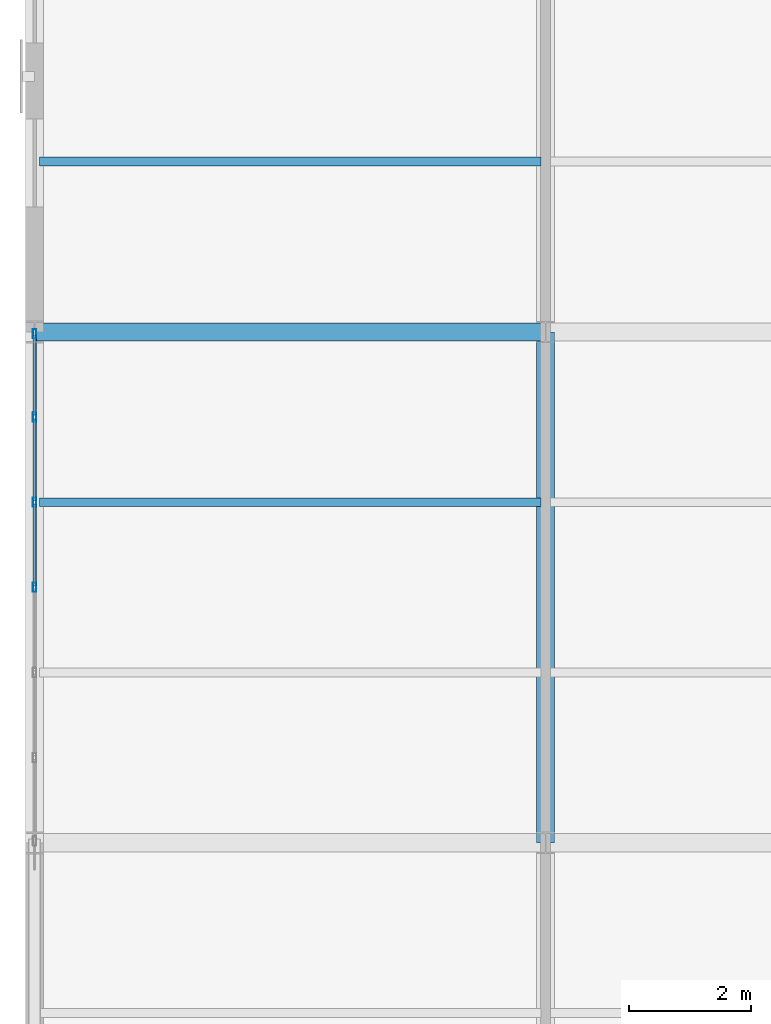
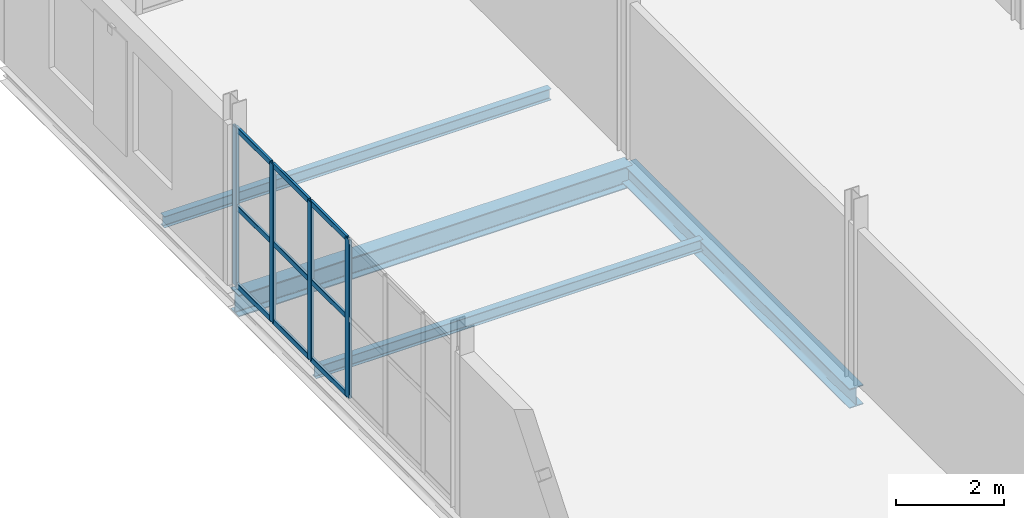
# One storey, part 79 of 163: 13 members, 4 beams, 1 element without a shape of its own.
"""IFC4 building model written with IfcOpenShell, lengths in metres."""

from ifc_helpers import new_model, si_unit, direction, frame, origin, origin_2d, place, context, subcontext, project, spatial, hollow_rectangle, i_section, extrude, material, layer, layer_set, material_profile, profile_set, type_object, element, aggregate, save


model = new_model("IFC4")

# Units and contexts
model_context = context("Model", 3, precision=1e-05, world=origin(), true_north=direction((0.0, 1.0)))
body_context = subcontext(model_context, "Body", "Model", "MODEL_VIEW")
ifc_project = project(units=[si_unit("LENGTHUNIT", "METRE"), si_unit("AREAUNIT", "SQUARE_METRE"), si_unit("VOLUMEUNIT", "CUBIC_METRE"), si_unit("PLANEANGLEUNIT", "RADIAN"), si_unit("MASSUNIT", "GRAM", prefix="KILO")], contexts=[model_context])

# Site, building, storey
site_placement = place(None, origin())
site = spatial("IfcSite", under=ifc_project, at=site_placement, CompositionType="ELEMENT")
building_placement = place(site_placement, origin())
building = spatial("IfcBuilding", under=site, at=building_placement, Name="Qalvenar Corner Mobility Hub", CompositionType="ELEMENT")
storey_placement = place(building_placement, frame((0.0, 0.0, 4.800048828125)))
storey = spatial("IfcBuildingStorey", under=building, at=storey_placement, Name="L01", CompositionType="ELEMENT", Elevation=4.800048828125)

# Beams
ifc_material_1 = material(Name="Steel S355", Category="steel")
ifc_material_profile_1 = material_profile(ifc_material_1, i_section(OverallWidth=0.300048828125, OverallDepth=0.43994140625, WebThickness=0.011474609375, FlangeThickness=0.02099609375, FilletRadius=0.027099609375, at=origin_2d()), Name="HEA450")
ifc_profile_set_1 = profile_set([ifc_material_profile_1], Name="Steel S355")
beam_type_1 = type_object("IfcBeamType", Name="BM-HEA450", PredefinedType="BEAM", material=ifc_profile_set_1)
beam_1_placement = place(storey_placement, frame((8.39990234375, 75.60009765625, -0.400146484375), z_axis=(0.0, 1.0, 0.0), x_axis=(-1.0, 0.0, 0.0)))
element("IfcBeam", 1, at=beam_1_placement, inside=storey, type_object=beam_type_1, Name="Primary Steel Girder GY-1190", PredefinedType="BEAM", context=body_context, shape_type="SweptSolid", body=[
    extrude(i_section(OverallWidth=0.300048828125, OverallDepth=0.43994140625, WebThickness=0.011474609375, FlangeThickness=0.02099609375, FilletRadius=0.027099609375, at=origin_2d()), origin(), (0.0, 0.0, 1.0), 8.39990234375),
])
ifc_material_profile_2 = material_profile(ifc_material_1, i_section(OverallWidth=0.300048828125, OverallDepth=0.489990234375, WebThickness=0.011962890625, FlangeThickness=0.02294921875, FilletRadius=0.027099609375, at=origin_2d()), Name="HEA500")
ifc_profile_set_2 = profile_set([ifc_material_profile_2], Name="Steel S355")
beam_type_2 = type_object("IfcBeamType", Name="BM-HEA500", PredefinedType="BEAM", material=ifc_profile_set_2)
beam_2_placement = place(storey_placement, frame((0.0, 84.0, -0.425048828125), z_axis=(1.0, 0.0, 0.0), x_axis=(0.0, 1.0, 0.0)))
element("IfcBeam", 2, at=beam_2_placement, inside=storey, type_object=beam_type_2, Name="Primary Steel Girder GX-1172", PredefinedType="BEAM", context=body_context, shape_type="SweptSolid", body=[
    extrude(i_section(OverallWidth=0.300048828125, OverallDepth=0.489990234375, WebThickness=0.011962890625, FlangeThickness=0.02294921875, FilletRadius=0.027099609375, at=origin_2d()), origin(), (0.0, 0.0, 1.0), 8.39990234375),
])
ifc_material_profile_3 = material_profile(ifc_material_1, i_section(OverallWidth=0.14599609375, OverallDepth=0.258056640625, WebThickness=0.006103515625, FlangeThickness=0.009033203125, FilletRadius=0.011962890625, at=origin_2d()), Name="W250x32.7")
ifc_profile_set_3 = profile_set([ifc_material_profile_3], Name="Steel S355")
beam_type_3 = type_object("IfcBeamType", Name="BM-JST250", PredefinedType="JOIST", material=ifc_profile_set_3)
for number, where, z_axis, x_axis, name in (
    (3, (0.077880859375, 81.199951171875, -0.30908203125), (1.0, 0.0, 0.0), (0.0, 1.0, 0.0), "Composite Floor Joist J-1219"),
    (4, (0.077880859375, 86.800048828125, -0.30908203125), (1.0, 0.0, 0.0), (0.0, 1.0, 0.0), "Composite Floor Joist J-1220"),
):
    element("IfcBeam", number, at=place(storey_placement, frame(where, z_axis=z_axis, x_axis=x_axis)), inside=storey, type_object=beam_type_3, Name=name, PredefinedType="JOIST", context=body_context, shape_type="SweptSolid", body=[
        extrude(i_section(OverallWidth=0.14599609375, OverallDepth=0.258056640625, WebThickness=0.006103515625, FlangeThickness=0.009033203125, FilletRadius=0.011962890625, at=origin_2d()), origin(), (0.0, 0.0, 1.0), 8.244140625),
    ])

# Curtain wall, members
ifc_material_2 = material(Name="Anodised Aluminium and Low-E Glazing", Category="aluminium")
ifc_layer = layer(ifc_material_2, 0.14990234375)
ifc_layer_set = layer_set([ifc_layer], Name="Anodised Aluminium and Low-E Glazing")
curtain_wall_type = type_object("IfcCurtainWallType", Name="CW-CYC-84X39", PredefinedType="NOTDEFINED", material=ifc_layer_set)
curtain_wall_placement = place(storey_placement, origin())
curtain_wall = element("IfcCurtainWall", 5, at=curtain_wall_placement, inside=storey, type_object=curtain_wall_type, Name="Glazed Curtain Wall CW-V5-L01-W4", PredefinedType="NOTDEFINED")
ifc_material_3 = material(Name="Anodised Aluminium 6063-T6", Category="aluminium")
ifc_material_profile_4 = material_profile(ifc_material_3, hollow_rectangle(XDim=0.06005859375, YDim=0.14990234375, WallThickness=0.00390625, InnerFilletRadius=0.00390625, OuterFilletRadius=0.008056640625, at=origin_2d()), Name="RHS150x60x4")
ifc_profile_set_4 = profile_set([ifc_material_profile_4], Name="Anodised Aluminium 6063-T6")
member_type_1 = type_object("IfcMemberType", Name="CW-MUL150", PredefinedType="MULLION", material=ifc_profile_set_4)
member_1_placement = place(storey_placement, frame((0.0, 83.969970703125, 0.0), z_axis=(0.0, 0.0, 1.0), x_axis=(1.0, 0.0, 0.0)))
member_1 = element("IfcMember", 6, at=member_1_placement, type_object=member_type_1, Name="CW-08 mullion 1", PredefinedType="MULLION", context=body_context, shape_type="SweptSolid", body=[
    extrude(hollow_rectangle(XDim=0.06005859375, YDim=0.14990234375, WallThickness=0.00390625, InnerFilletRadius=0.00390625, OuterFilletRadius=0.008056640625, at=origin_2d()), origin(), (0.0, 0.0, 1.0), 3.570068359375),
])
member_2_placement = place(storey_placement, frame((0.0, 82.60009765625, 0.0), z_axis=(0.0, 0.0, 1.0), x_axis=(1.0, 0.0, 0.0)))
member_2 = element("IfcMember", 7, at=member_2_placement, type_object=member_type_1, Name="CW-08 mullion 2", PredefinedType="MULLION", context=body_context, shape_type="SweptSolid", body=[
    extrude(hollow_rectangle(XDim=0.06005859375, YDim=0.14990234375, WallThickness=0.00390625, InnerFilletRadius=0.00390625, OuterFilletRadius=0.008056640625, at=origin_2d()), origin(), (0.0, 0.0, 1.0), 3.570068359375),
])
member_3_placement = place(storey_placement, frame((0.0, 81.199951171875, 0.0), z_axis=(0.0, 0.0, 1.0), x_axis=(1.0, 0.0, 0.0)))
member_3 = element("IfcMember", 8, at=member_3_placement, type_object=member_type_1, Name="CW-08 mullion 3", PredefinedType="MULLION", context=body_context, shape_type="SweptSolid", body=[
    extrude(hollow_rectangle(XDim=0.06005859375, YDim=0.14990234375, WallThickness=0.00390625, InnerFilletRadius=0.00390625, OuterFilletRadius=0.008056640625, at=origin_2d()), origin(), (0.0, 0.0, 1.0), 3.570068359375),
])
member_4_placement = place(storey_placement, frame((0.0, 79.800048828125, 0.0), z_axis=(0.0, 0.0, 1.0), x_axis=(1.0, 0.0, 0.0)))
member_4 = element("IfcMember", 9, at=member_4_placement, type_object=member_type_1, Name="CW-08 mullion 4", PredefinedType="MULLION", context=body_context, shape_type="SweptSolid", body=[
    extrude(hollow_rectangle(XDim=0.06005859375, YDim=0.14990234375, WallThickness=0.00390625, InnerFilletRadius=0.00390625, OuterFilletRadius=0.008056640625, at=origin_2d()), origin(), (0.0, 0.0, 1.0), 3.570068359375),
])
ifc_material_profile_5 = material_profile(ifc_material_3, hollow_rectangle(XDim=0.054931640625, YDim=0.1201171875, WallThickness=0.00341796875, InnerFilletRadius=0.00341796875, OuterFilletRadius=0.007080078125, at=origin_2d()), Name="RHS120x55x3.5")
ifc_profile_set_5 = profile_set([ifc_material_profile_5], Name="Anodised Aluminium 6063-T6")
member_type_2 = type_object("IfcMemberType", Name="CW-TRN120", PredefinedType="USERDEFINED", material=ifc_profile_set_5)
member_5_placement = place(storey_placement, frame((0.0, 83.93994140625, 0.02734375), z_axis=(0.0, -1.0, 0.0), x_axis=(1.0, 0.0, 0.0)))
member_5 = element("IfcMember", 10, at=member_5_placement, type_object=member_type_2, Name="CW-08 transom 1.1", ObjectType="TRANSOM", PredefinedType="USERDEFINED", context=body_context, shape_type="SweptSolid", body=[
    extrude(hollow_rectangle(XDim=0.054931640625, YDim=0.1201171875, WallThickness=0.00341796875, InnerFilletRadius=0.00341796875, OuterFilletRadius=0.007080078125, at=origin_2d()), origin(), (0.0, 0.0, 1.0), 1.31005859375),
])
member_6_placement = place(storey_placement, frame((0.0, 83.93994140625, 1.784912109375), z_axis=(0.0, -1.0, 0.0), x_axis=(1.0, 0.0, 0.0)))
member_6 = element("IfcMember", 11, at=member_6_placement, type_object=member_type_2, Name="CW-08 transom 1.2", ObjectType="TRANSOM", PredefinedType="USERDEFINED", context=body_context, shape_type="SweptSolid", body=[
    extrude(hollow_rectangle(XDim=0.054931640625, YDim=0.1201171875, WallThickness=0.00341796875, InnerFilletRadius=0.00341796875, OuterFilletRadius=0.007080078125, at=origin_2d()), origin(), (0.0, 0.0, 1.0), 1.31005859375),
])
member_7_placement = place(storey_placement, frame((0.0, 83.93994140625, 3.54248046875), z_axis=(0.0, -1.0, 0.0), x_axis=(1.0, 0.0, 0.0)))
member_7 = element("IfcMember", 12, at=member_7_placement, type_object=member_type_2, Name="CW-08 transom 1.3", ObjectType="TRANSOM", PredefinedType="USERDEFINED", context=body_context, shape_type="SweptSolid", body=[
    extrude(hollow_rectangle(XDim=0.054931640625, YDim=0.1201171875, WallThickness=0.00341796875, InnerFilletRadius=0.00341796875, OuterFilletRadius=0.007080078125, at=origin_2d()), origin(), (0.0, 0.0, 1.0), 1.31005859375),
])
member_8_placement = place(storey_placement, frame((0.0, 82.570068359375, 0.02734375), z_axis=(0.0, -1.0, 0.0), x_axis=(1.0, 0.0, 0.0)))
member_8 = element("IfcMember", 13, at=member_8_placement, type_object=member_type_2, Name="CW-08 transom 2.1", ObjectType="TRANSOM", PredefinedType="USERDEFINED", context=body_context, shape_type="SweptSolid", body=[
    extrude(hollow_rectangle(XDim=0.054931640625, YDim=0.1201171875, WallThickness=0.00341796875, InnerFilletRadius=0.00341796875, OuterFilletRadius=0.007080078125, at=origin_2d()), origin(), (0.0, 0.0, 1.0), 1.340087890625),
])
member_9_placement = place(storey_placement, frame((0.0, 82.570068359375, 1.784912109375), z_axis=(0.0, -1.0, 0.0), x_axis=(1.0, 0.0, 0.0)))
member_9 = element("IfcMember", 14, at=member_9_placement, type_object=member_type_2, Name="CW-08 transom 2.2", ObjectType="TRANSOM", PredefinedType="USERDEFINED", context=body_context, shape_type="SweptSolid", body=[
    extrude(hollow_rectangle(XDim=0.054931640625, YDim=0.1201171875, WallThickness=0.00341796875, InnerFilletRadius=0.00341796875, OuterFilletRadius=0.007080078125, at=origin_2d()), origin(), (0.0, 0.0, 1.0), 1.340087890625),
])
member_10_placement = place(storey_placement, frame((0.0, 82.570068359375, 3.54248046875), z_axis=(0.0, -1.0, 0.0), x_axis=(1.0, 0.0, 0.0)))
member_10 = element("IfcMember", 15, at=member_10_placement, type_object=member_type_2, Name="CW-08 transom 2.3", ObjectType="TRANSOM", PredefinedType="USERDEFINED", context=body_context, shape_type="SweptSolid", body=[
    extrude(hollow_rectangle(XDim=0.054931640625, YDim=0.1201171875, WallThickness=0.00341796875, InnerFilletRadius=0.00341796875, OuterFilletRadius=0.007080078125, at=origin_2d()), origin(), (0.0, 0.0, 1.0), 1.340087890625),
])
member_11_placement = place(storey_placement, frame((0.0, 81.169921875, 0.02734375), z_axis=(0.0, -1.0, 0.0), x_axis=(1.0, 0.0, 0.0)))
member_11 = element("IfcMember", 16, at=member_11_placement, type_object=member_type_2, Name="CW-08 transom 3.1", ObjectType="TRANSOM", PredefinedType="USERDEFINED", context=body_context, shape_type="SweptSolid", body=[
    extrude(hollow_rectangle(XDim=0.054931640625, YDim=0.1201171875, WallThickness=0.00341796875, InnerFilletRadius=0.00341796875, OuterFilletRadius=0.007080078125, at=origin_2d()), origin(), (0.0, 0.0, 1.0), 1.33984375),
])
member_12_placement = place(storey_placement, frame((0.0, 81.169921875, 1.784912109375), z_axis=(0.0, -1.0, 0.0), x_axis=(1.0, 0.0, 0.0)))
member_12 = element("IfcMember", 17, at=member_12_placement, type_object=member_type_2, Name="CW-08 transom 3.2", ObjectType="TRANSOM", PredefinedType="USERDEFINED", context=body_context, shape_type="SweptSolid", body=[
    extrude(hollow_rectangle(XDim=0.054931640625, YDim=0.1201171875, WallThickness=0.00341796875, InnerFilletRadius=0.00341796875, OuterFilletRadius=0.007080078125, at=origin_2d()), origin(), (0.0, 0.0, 1.0), 1.33984375),
])
member_13_placement = place(storey_placement, frame((0.0, 81.169921875, 3.54248046875), z_axis=(0.0, -1.0, 0.0), x_axis=(1.0, 0.0, 0.0)))
member_13 = element("IfcMember", 18, at=member_13_placement, type_object=member_type_2, Name="CW-08 transom 3.3", ObjectType="TRANSOM", PredefinedType="USERDEFINED", context=body_context, shape_type="SweptSolid", body=[
    extrude(hollow_rectangle(XDim=0.054931640625, YDim=0.1201171875, WallThickness=0.00341796875, InnerFilletRadius=0.00341796875, OuterFilletRadius=0.007080078125, at=origin_2d()), origin(), (0.0, 0.0, 1.0), 1.33984375),
])
aggregate(curtain_wall, [member_1, member_2, member_3, member_4, member_5, member_6, member_7, member_8, member_9, member_10, member_11, member_12, member_13])

save(model, "model.ifc")
